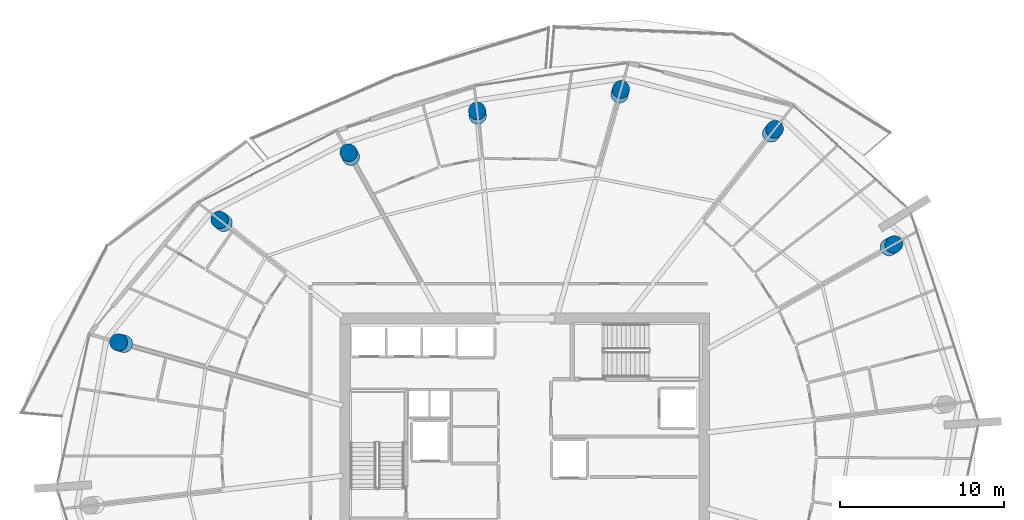
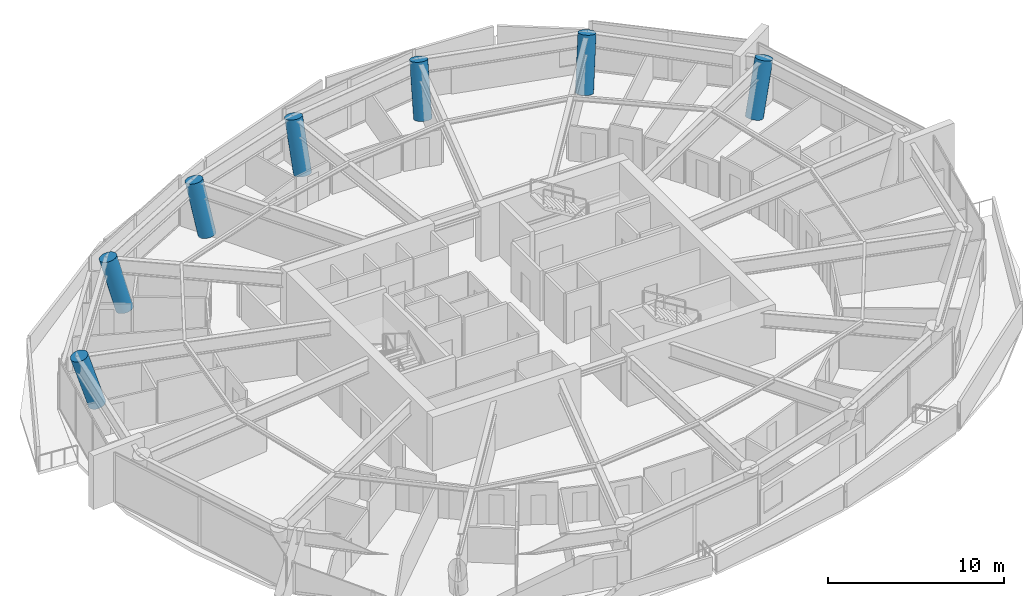
# One storey, part 4 of 20: 7 columns.
"""IFC4 building model written with IfcOpenShell, lengths in metres."""

from ifc_helpers import new_model, si_unit, direction, frame, origin, origin_2d, place, context, subcontext, project, spatial, circle, extrude, material, material_profile, profile_set, type_object, element, save


model = new_model("IFC4")

# Units and contexts
model_context = context("Model", 3, precision=1e-05, world=origin(), true_north=direction((0.0, 1.0)))
body_context = subcontext(model_context, "Body", "Model", "MODEL_VIEW")
ifc_project = project(units=[si_unit("LENGTHUNIT", "METRE"), si_unit("AREAUNIT", "SQUARE_METRE"), si_unit("VOLUMEUNIT", "CUBIC_METRE"), si_unit("PLANEANGLEUNIT", "RADIAN"), si_unit("MASSUNIT", "GRAM", prefix="KILO")], contexts=[model_context])

# Site, building, storey
site_placement = place(None, origin())
site = spatial("IfcSite", under=ifc_project, at=site_placement, CompositionType="ELEMENT")
building_placement = place(site_placement, origin())
building = spatial("IfcBuilding", under=site, at=building_placement, Name="Kazma Halo Residences", CompositionType="ELEMENT")
storey_placement = place(building_placement, frame((0.0, 0.0, 221.550048828125)))
storey = spatial("IfcBuildingStorey", under=building, at=storey_placement, Name="L56", CompositionType="ELEMENT", Elevation=221.550048828125)

# Columns
ifc_material = material(Name="Concrete C80/95", Category="concrete")
ifc_material_profile = material_profile(ifc_material, circle(Radius=0.52490234375, at=origin_2d()), Name="CIRC1050")
ifc_profile_set = profile_set([ifc_material_profile], Name="Concrete C80/95")
column_type = type_object("IfcColumnType", Name="COL-PERIM-1050", PredefinedType="COLUMN", material=ifc_profile_set)
column_1_placement = place(storey_placement, frame((70.625, 54.670654296875, 0.0), z_axis=(0.260291589726, 0.145725683619, 0.954469650356), x_axis=(-0.488507395799, 0.872559753971, 0.0)))
element("IfcColumn", 1, at=column_1_placement, inside=storey, type_object=column_type, Name="L56 perimeter ring column P01", PredefinedType="COLUMN", context=body_context, shape_type="SweptSolid", body=[
    extrude(circle(Radius=0.52490234375, at=origin_2d()), origin(), (0.0, 0.0, 1.0), 3.635498046875),
])
column_2_placement = place(storey_placement, frame((63.45068359375, 61.598876953125, 0.0), z_axis=(0.178277097361, 0.226248863544, 0.957616169612), x_axis=(-0.785457214564, 0.618915958826, 0.0)))
element("IfcColumn", 2, at=column_2_placement, inside=storey, type_object=column_type, Name="L56 perimeter ring column P02", PredefinedType="COLUMN", context=body_context, shape_type="SweptSolid", body=[
    extrude(circle(Radius=0.52490234375, at=origin_2d()), origin(), (0.0, 0.0, 1.0), 3.62353515625),
])
column_3_placement = place(storey_placement, frame((54.202392578125, 63.99169921875, 0.0), z_axis=(0.072038916576, 0.255527870756, 0.964114050186), x_axis=(-0.962482190553, 0.271344859667, 0.0)))
element("IfcColumn", 3, at=column_3_placement, inside=storey, type_object=column_type, Name="L56 perimeter ring column P03", PredefinedType="COLUMN", context=body_context, shape_type="SweptSolid", body=[
    extrude(circle(Radius=0.52490234375, at=origin_2d()), origin(), (0.0, 0.0, 1.0), 3.59912109375),
])
column_4_placement = place(storey_placement, frame((45.550048828125, 62.69970703125, 0.0), z_axis=(-0.028660243704, 0.241906104598, 0.969876294683), x_axis=(-0.993054664925, -0.117653867213, 0.0)))
element("IfcColumn", 4, at=column_4_placement, inside=storey, type_object=column_type, Name="L56 perimeter ring column P04", PredefinedType="COLUMN", context=body_context, shape_type="SweptSolid", body=[
    extrude(circle(Radius=0.52490234375, at=origin_2d()), origin(), (0.0, 0.0, 1.0), 3.57763671875),
])
column_5_placement = place(storey_placement, frame((37.815185546875, 60.186279296875, 0.0), z_axis=(-0.119073423667, 0.212626239625, 0.969851329843), x_axis=(-0.872501241127, -0.488611895304, 0.0)))
element("IfcColumn", 5, at=column_5_placement, inside=storey, type_object=column_type, Name="L56 perimeter ring column P05", PredefinedType="COLUMN", context=body_context, shape_type="SweptSolid", body=[
    extrude(circle(Radius=0.52490234375, at=origin_2d()), origin(), (0.0, 0.0, 1.0), 3.577880859375),
])
column_6_placement = place(storey_placement, frame((30.055908203125, 56.14599609375, 0.0), z_axis=(-0.208518335243, 0.164359117207, 0.964109010672), x_axis=(-0.619039399449, -0.785359931452, 0.0)))
element("IfcColumn", 6, at=column_6_placement, inside=storey, type_object=column_type, Name="L56 perimeter ring column P06", PredefinedType="COLUMN", context=body_context, shape_type="SweptSolid", body=[
    extrude(circle(Radius=0.52490234375, at=origin_2d()), origin(), (0.0, 0.0, 1.0), 3.59912109375),
])
column_7_placement = place(storey_placement, frame((23.980224609375, 48.7744140625, 0.0), z_axis=(-0.277251706749, 0.078156009679, 0.957613246178), x_axis=(-0.271321276561, -0.962488838837, 0.0)))
element("IfcColumn", 7, at=column_7_placement, inside=storey, type_object=column_type, Name="L56 perimeter ring column P07", PredefinedType="COLUMN", context=body_context, shape_type="SweptSolid", body=[
    extrude(circle(Radius=0.52490234375, at=origin_2d()), origin(), (0.0, 0.0, 1.0), 3.62353515625),
])

save(model, "model.ifc")
